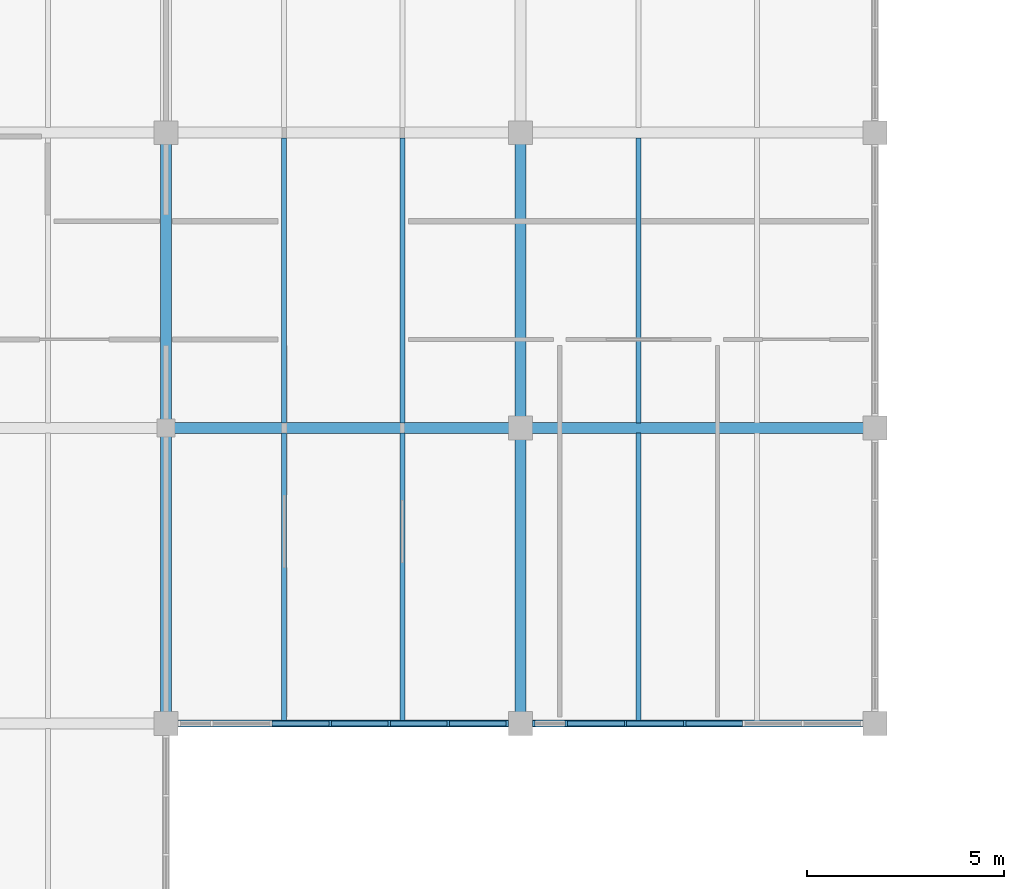
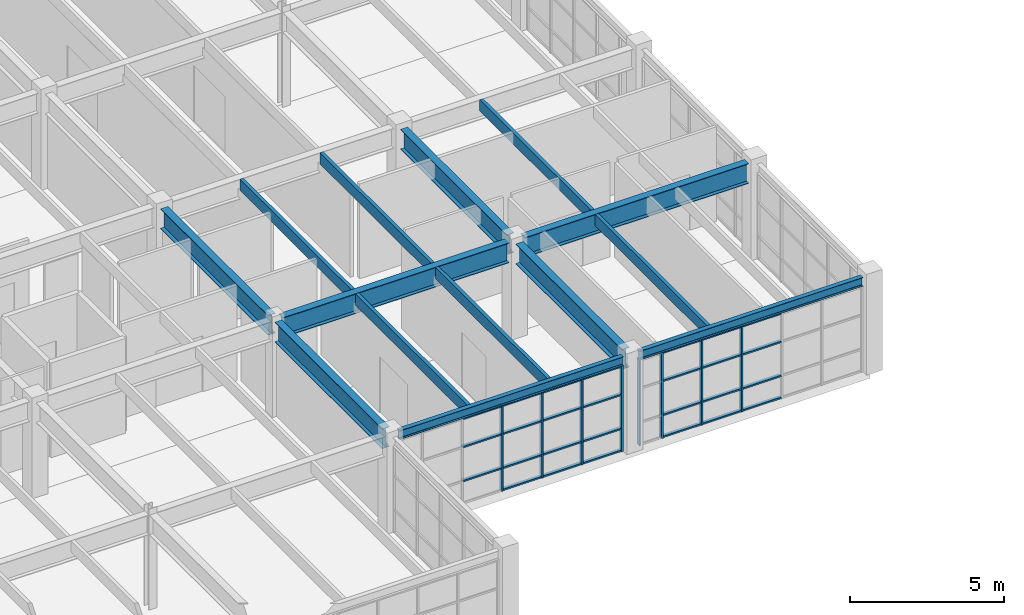
# One storey, part 28 of 76: 35 members, 14 beams, 2 elements without a shape of their own.
"""IFC4 building model written with IfcOpenShell, lengths in metres."""

from ifc_helpers import new_model, si_unit, direction, frame, origin, origin_2d, place, context, subcontext, project, spatial, rectangle, i_section, extrude, material, layer, layer_set, material_profile, profile_set, type_object, element, aggregate, save


model = new_model("IFC4")

# Units and contexts
model_context = context("Model", 3, precision=1e-05, world=origin(), true_north=direction((0.0, 1.0)))
body_context = subcontext(model_context, "Body", "Model", "MODEL_VIEW")
ifc_project = project(units=[si_unit("LENGTHUNIT", "METRE"), si_unit("AREAUNIT", "SQUARE_METRE"), si_unit("VOLUMEUNIT", "CUBIC_METRE"), si_unit("PLANEANGLEUNIT", "RADIAN"), si_unit("MASSUNIT", "GRAM", prefix="KILO")], contexts=[model_context])

# Site, building, storey
site_placement = place(None, origin())
site = spatial("IfcSite", under=ifc_project, at=site_placement, CompositionType="ELEMENT")
building_placement = place(site_placement, origin())
building = spatial("IfcBuilding", under=site, at=building_placement, Name="Marnridge Secondary College", CompositionType="ELEMENT")
storey_placement = place(building_placement, frame((0.0, 0.0, 4.5)))
storey = spatial("IfcBuildingStorey", under=building, at=storey_placement, Name="L01", CompositionType="ELEMENT", Elevation=4.5)

# Beams
ifc_material_1 = material(Name="Engineered timber LVL E13.2", Category="wood")
ifc_material_profile_1 = material_profile(ifc_material_1, rectangle(XDim=0.1259765625, YDim=0.449951171875, at=origin_2d()), Name="LVL 126x450")
ifc_profile_set_1 = profile_set([ifc_material_profile_1], Name="Engineered timber LVL E13.2")
beam_type_1 = type_object("IfcBeamType", Name="BM-LVL450-INT", PredefinedType="JOIST", material=ifc_profile_set_1)
for number, where, z_axis, x_axis, name in (
    (1, (21.0, 82.57958984375, 3.534912109375), (0.0, 1.0, 0.0), (-1.0, 0.0, 0.0), "Beam BJ-L01-0633"),
    (2, (24.0, 82.57958984375, 3.534912109375), (0.0, 1.0, 0.0), (-1.0, 0.0, 0.0), "Beam BJ-L01-0634"),
):
    element("IfcBeam", number, at=place(storey_placement, frame(where, z_axis=z_axis, x_axis=x_axis)), inside=storey, type_object=beam_type_1, Name=name, PredefinedType="JOIST", context=body_context, shape_type="SweptSolid", body=[
        extrude(rectangle(XDim=0.1259765625, YDim=0.449951171875, at=origin_2d()), origin(), (0.0, 0.0, 1.0), 7.288818359375),
    ])
for number, where, z_axis, x_axis, name in (
    (3, (21.0, 90.131591796875, 3.534912109375), (0.0, 1.0, 0.0), (-1.0, 0.0, 0.0), "Beam BJ-L01-0635"),
    (4, (24.0, 90.131591796875, 3.534912109375), (0.0, 1.0, 0.0), (-1.0, 0.0, 0.0), "Beam BJ-L01-0636"),
):
    element("IfcBeam", number, at=place(storey_placement, frame(where, z_axis=z_axis, x_axis=x_axis)), inside=storey, type_object=beam_type_1, Name=name, PredefinedType="JOIST", context=body_context, shape_type="SweptSolid", body=[
        extrude(rectangle(XDim=0.1259765625, YDim=0.449951171875, at=origin_2d()), origin(), (0.0, 0.0, 1.0), 7.23681640625),
    ])
beam_1_placement = place(storey_placement, frame((30.0, 82.57958984375, 3.534912109375), z_axis=(0.0, 1.0, 0.0), x_axis=(-1.0, 0.0, 0.0)))
element("IfcBeam", 5, at=beam_1_placement, inside=storey, type_object=beam_type_1, Name="Beam BJ-L01-0643", PredefinedType="JOIST", context=body_context, shape_type="SweptSolid", body=[
    extrude(rectangle(XDim=0.1259765625, YDim=0.449951171875, at=origin_2d()), origin(), (0.0, 0.0, 1.0), 7.288818359375),
])
beam_2_placement = place(storey_placement, frame((30.0, 90.131591796875, 3.534912109375), z_axis=(0.0, 1.0, 0.0), x_axis=(-1.0, 0.0, 0.0)))
element("IfcBeam", 6, at=beam_2_placement, inside=storey, type_object=beam_type_1, Name="Beam BJ-L01-0645", PredefinedType="JOIST", context=body_context, shape_type="SweptSolid", body=[
    extrude(rectangle(XDim=0.1259765625, YDim=0.449951171875, at=origin_2d()), origin(), (0.0, 0.0, 1.0), 7.23681640625),
])
ifc_material_2 = material(Name="Structural steel Grade 350 (AS/NZS 3679.1/.2, fy = 340-360 MPa)", Category="steel")
ifc_material_profile_2 = material_profile(ifc_material_2, i_section(OverallWidth=0.1708984375, OverallDepth=0.35205078125, WebThickness=0.0068359375, FlangeThickness=0.009765625, FilletRadius=0.011474609375, at=origin_2d()), Name="360UB44.7")
ifc_profile_set_2 = profile_set([ifc_material_profile_2], Name="Structural steel Grade 350 (AS/NZS 3679.1/.2, fy = 340-360 MPa)")
beam_type_2 = type_object("IfcBeamType", Name="BM-UB360-EXT", PredefinedType="SPANDREL", material=ifc_profile_set_2)
for number, where, z_axis, x_axis, name in (
    (7, (18.2939453125, 82.5, 3.583984375), (1.0, 0.0, 0.0), (0.0, 1.0, 0.0), "Beam BS-L01-0589"),
    (8, (27.2939453125, 82.5, 3.583984375), (1.0, 0.0, 0.0), (0.0, 1.0, 0.0), "Beam BS-L01-0600"),
):
    element("IfcBeam", number, at=place(storey_placement, frame(where, z_axis=z_axis, x_axis=x_axis)), inside=storey, type_object=beam_type_2, Name=name, PredefinedType="SPANDREL", context=body_context, shape_type="SweptSolid", body=[
        extrude(i_section(OverallWidth=0.1708984375, OverallDepth=0.35205078125, WebThickness=0.0068359375, FlangeThickness=0.009765625, FilletRadius=0.011474609375, at=origin_2d()), origin(), (0.0, 0.0, 1.0), 8.412109375),
    ])
ifc_material_3 = material(Name="Structural steel Grade 350 (AS/NZS 3679.1/.2, fy = 340-360 MPa)", Category="steel")
ifc_material_profile_3 = material_profile(ifc_material_3, i_section(OverallWidth=0.27490234375, OverallDepth=0.7919921875, WebThickness=0.010009765625, FlangeThickness=0.02001953125, at=origin_2d()), Name="800WB146")
ifc_profile_set_3 = profile_set([ifc_material_profile_3], Name="Structural steel Grade 350 (AS/NZS 3679.1/.2, fy = 340-360 MPa)")
beam_type_3 = type_object("IfcBeamType", Name="BM-WB800-INT", PredefinedType="BEAM", material=ifc_profile_set_3)
for number, where, z_axis, x_axis, name in (
    (9, (18.0, 82.7939453125, 3.364013671875), (0.0, 1.0, 0.0), (-1.0, 0.0, 0.0), "Beam B-L01-0580"),
    (10, (18.0, 90.218994140625, 3.364013671875), (0.0, 1.0, 0.0), (-1.0, 0.0, 0.0), "Beam B-L01-0582"),
):
    element("IfcBeam", number, at=place(storey_placement, frame(where, z_axis=z_axis, x_axis=x_axis)), inside=storey, type_object=beam_type_3, Name=name, PredefinedType="BEAM", context=body_context, shape_type="SweptSolid", body=[
        extrude(i_section(OverallWidth=0.27490234375, OverallDepth=0.7919921875, WebThickness=0.010009765625, FlangeThickness=0.02001953125, at=origin_2d()), origin(), (0.0, 0.0, 1.0), 6.987060546875),
    ])
beam_3_placement = place(storey_placement, frame((18.218994140625, 90.0, 3.364013671875), z_axis=(1.0, 0.0, 0.0), x_axis=(0.0, 1.0, 0.0)))
element("IfcBeam", 11, at=beam_3_placement, inside=storey, type_object=beam_type_3, Name="Beam B-L01-0590", PredefinedType="BEAM", context=body_context, shape_type="SweptSolid", body=[
    extrude(i_section(OverallWidth=0.27490234375, OverallDepth=0.7919921875, WebThickness=0.010009765625, FlangeThickness=0.02001953125, at=origin_2d()), origin(), (0.0, 0.0, 1.0), 8.487060546875),
])
for number, where, z_axis, x_axis, name in (
    (12, (27.0, 82.7939453125, 3.364013671875), (0.0, 1.0, 0.0), (-1.0, 0.0, 0.0), "Beam B-L01-0591"),
    (13, (27.0, 90.2939453125, 3.364013671875), (0.0, 1.0, 0.0), (-1.0, 0.0, 0.0), "Beam B-L01-0593"),
):
    element("IfcBeam", number, at=place(storey_placement, frame(where, z_axis=z_axis, x_axis=x_axis)), inside=storey, type_object=beam_type_3, Name=name, PredefinedType="BEAM", context=body_context, shape_type="SweptSolid", body=[
        extrude(i_section(OverallWidth=0.27490234375, OverallDepth=0.7919921875, WebThickness=0.010009765625, FlangeThickness=0.02001953125, at=origin_2d()), origin(), (0.0, 0.0, 1.0), 6.912109375),
    ])
beam_4_placement = place(storey_placement, frame((27.2939453125, 90.0, 3.364013671875), z_axis=(1.0, 0.0, 0.0), x_axis=(0.0, 1.0, 0.0)))
element("IfcBeam", 14, at=beam_4_placement, inside=storey, type_object=beam_type_3, Name="Beam B-L01-0601", PredefinedType="BEAM", context=body_context, shape_type="SweptSolid", body=[
    extrude(i_section(OverallWidth=0.27490234375, OverallDepth=0.7919921875, WebThickness=0.010009765625, FlangeThickness=0.02001953125, at=origin_2d()), origin(), (0.0, 0.0, 1.0), 8.412109375),
])

# Curtain wall, members
ifc_material_4 = material(Name="Thermally broken aluminium and low-E glazing", Category="aluminium")
ifc_layer = layer(ifc_material_4, 0.159912109375)
ifc_layer_set = layer_set([ifc_layer], Name="CW-MOD-1500")
curtain_wall_type = type_object("IfcCurtainWallType", Name="CW-MOD-1500", PredefinedType="NOTDEFINED", material=ifc_layer_set)
curtain_wall_1_placement = place(storey_placement, origin())
curtain_wall_1 = element("IfcCurtainWall", 15, at=curtain_wall_1_placement, inside=storey, type_object=curtain_wall_type, Name="Unitised curtain wall CW-L01-051", PredefinedType="NOTDEFINED")
ifc_material_5 = material(Name="Anodised aluminium 6063-T6", Category="aluminium")
ifc_material_profile_4 = material_profile(ifc_material_5, rectangle(XDim=0.06005859375, YDim=0.159912109375, at=origin_2d()), Name="ALU 60x160")
ifc_profile_set_4 = profile_set([ifc_material_profile_4], Name="Anodised aluminium 6063-T6")
member_type_1 = type_object("IfcMemberType", Name="CWM-ALU160", PredefinedType="MULLION", material=ifc_profile_set_4)
member_1_placement = place(storey_placement, frame((31.166015625, 82.5, 0.0), z_axis=(0.0, 0.0, 1.0), x_axis=(-1.0, 0.0, 0.0)))
member_1 = element("IfcMember", 16, at=member_1_placement, type_object=member_type_1, Name="CW-L01-051 mullion 4", PredefinedType="MULLION", context=body_context, shape_type="SweptSolid", body=[
    extrude(rectangle(XDim=0.06005859375, YDim=0.159912109375, at=origin_2d()), origin(), (0.0, 0.0, 1.0), 3.39990234375),
])
member_2_placement = place(storey_placement, frame((29.666015625, 82.5, 0.0), z_axis=(0.0, 0.0, 1.0), x_axis=(-1.0, 0.0, 0.0)))
member_2 = element("IfcMember", 17, at=member_2_placement, type_object=member_type_1, Name="CW-L01-051 mullion 5", PredefinedType="MULLION", context=body_context, shape_type="SweptSolid", body=[
    extrude(rectangle(XDim=0.06005859375, YDim=0.159912109375, at=origin_2d()), origin(), (0.0, 0.0, 1.0), 3.39990234375),
])
member_3_placement = place(storey_placement, frame((28.166015625, 82.5, 0.0), z_axis=(0.0, 0.0, 1.0), x_axis=(-1.0, 0.0, 0.0)))
member_3 = element("IfcMember", 18, at=member_3_placement, type_object=member_type_1, Name="CW-L01-051 mullion 6", PredefinedType="MULLION", context=body_context, shape_type="SweptSolid", body=[
    extrude(rectangle(XDim=0.06005859375, YDim=0.159912109375, at=origin_2d()), origin(), (0.0, 0.0, 1.0), 3.39990234375),
])
member_4_placement = place(storey_placement, frame((27.333984375, 82.5, 0.0), z_axis=(0.0, 0.0, 1.0), x_axis=(-1.0, 0.0, 0.0)))
member_4 = element("IfcMember", 19, at=member_4_placement, type_object=member_type_1, Name="CW-L01-051 mullion 7", PredefinedType="MULLION", context=body_context, shape_type="SweptSolid", body=[
    extrude(rectangle(XDim=0.06005859375, YDim=0.159912109375, at=origin_2d()), origin(), (0.0, 0.0, 1.0), 3.39990234375),
])

curtain_wall_2_placement = place(storey_placement, origin())
curtain_wall_2 = element("IfcCurtainWall", 20, at=curtain_wall_2_placement, inside=storey, type_object=curtain_wall_type, Name="Unitised curtain wall CW-L01-052", PredefinedType="NOTDEFINED")
member_5_placement = place(storey_placement, frame((26.666015625, 82.5, 0.0), z_axis=(0.0, 0.0, 1.0), x_axis=(-1.0, 0.0, 0.0)))
member_5 = element("IfcMember", 21, at=member_5_placement, type_object=member_type_1, Name="CW-L01-052 mullion 1", PredefinedType="MULLION", context=body_context, shape_type="SweptSolid", body=[
    extrude(rectangle(XDim=0.06005859375, YDim=0.159912109375, at=origin_2d()), origin(), (0.0, 0.0, 1.0), 3.39990234375),
])
member_6_placement = place(storey_placement, frame((25.166015625, 82.5, 0.0), z_axis=(0.0, 0.0, 1.0), x_axis=(-1.0, 0.0, 0.0)))
member_6 = element("IfcMember", 22, at=member_6_placement, type_object=member_type_1, Name="CW-L01-052 mullion 2", PredefinedType="MULLION", context=body_context, shape_type="SweptSolid", body=[
    extrude(rectangle(XDim=0.06005859375, YDim=0.159912109375, at=origin_2d()), origin(), (0.0, 0.0, 1.0), 3.39990234375),
])
member_7_placement = place(storey_placement, frame((23.666015625, 82.5, 0.0), z_axis=(0.0, 0.0, 1.0), x_axis=(-1.0, 0.0, 0.0)))
member_7 = element("IfcMember", 23, at=member_7_placement, type_object=member_type_1, Name="CW-L01-052 mullion 3", PredefinedType="MULLION", context=body_context, shape_type="SweptSolid", body=[
    extrude(rectangle(XDim=0.06005859375, YDim=0.159912109375, at=origin_2d()), origin(), (0.0, 0.0, 1.0), 3.39990234375),
])
member_8_placement = place(storey_placement, frame((22.166015625, 82.5, 0.0), z_axis=(0.0, 0.0, 1.0), x_axis=(-1.0, 0.0, 0.0)))
member_8 = element("IfcMember", 24, at=member_8_placement, type_object=member_type_1, Name="CW-L01-052 mullion 4", PredefinedType="MULLION", context=body_context, shape_type="SweptSolid", body=[
    extrude(rectangle(XDim=0.06005859375, YDim=0.159912109375, at=origin_2d()), origin(), (0.0, 0.0, 1.0), 3.39990234375),
])

# Member
ifc_material_6 = material(Name="Anodised aluminium 6063-T6", Category="aluminium")
ifc_material_profile_5 = material_profile(ifc_material_6, rectangle(XDim=0.06005859375, YDim=0.1201171875, at=origin_2d()), Name="ALU 60x120")
ifc_profile_set_5 = profile_set([ifc_material_profile_5], Name="Anodised aluminium 6063-T6")
member_type_2 = type_object("IfcMemberType", Name="CWT-ALU120", PredefinedType="USERDEFINED", material=ifc_profile_set_5)
member_9_placement = place(storey_placement, frame((32.635986328125, 82.5, 0.030029296875), z_axis=(-1.0, 0.0, 0.0), x_axis=(0.0, 0.0, 1.0)))
member_9 = element("IfcMember", 25, at=member_9_placement, type_object=member_type_2, Name="CW-L01-051 transom 3.1", ObjectType="TRANSOM", PredefinedType="USERDEFINED", context=body_context, shape_type="SweptSolid", body=[
    extrude(rectangle(XDim=0.06005859375, YDim=0.1201171875, at=origin_2d()), origin(), (0.0, 0.0, 1.0), 1.43994140625),
])

member_10_placement = place(storey_placement, frame((32.635986328125, 82.5, 0.89990234375), z_axis=(-1.0, 0.0, 0.0), x_axis=(0.0, 0.0, 1.0)))
member_10 = element("IfcMember", 26, at=member_10_placement, type_object=member_type_2, Name="CW-L01-051 transom 3.2", ObjectType="TRANSOM", PredefinedType="USERDEFINED", context=body_context, shape_type="SweptSolid", body=[
    extrude(rectangle(XDim=0.06005859375, YDim=0.1201171875, at=origin_2d()), origin(), (0.0, 0.0, 1.0), 1.43994140625),
])

member_11_placement = place(storey_placement, frame((32.635986328125, 82.5, 2.25), z_axis=(-1.0, 0.0, 0.0), x_axis=(0.0, 0.0, 1.0)))
member_11 = element("IfcMember", 27, at=member_11_placement, type_object=member_type_2, Name="CW-L01-051 transom 3.3", ObjectType="TRANSOM", PredefinedType="USERDEFINED", context=body_context, shape_type="SweptSolid", body=[
    extrude(rectangle(XDim=0.06005859375, YDim=0.1201171875, at=origin_2d()), origin(), (0.0, 0.0, 1.0), 1.43994140625),
])

member_12_placement = place(storey_placement, frame((32.635986328125, 82.5, 3.3701171875), z_axis=(-1.0, 0.0, 0.0), x_axis=(0.0, 0.0, 1.0)))
member_12 = element("IfcMember", 28, at=member_12_placement, type_object=member_type_2, Name="CW-L01-051 transom 3.4", ObjectType="TRANSOM", PredefinedType="USERDEFINED", context=body_context, shape_type="SweptSolid", body=[
    extrude(rectangle(XDim=0.06005859375, YDim=0.1201171875, at=origin_2d()), origin(), (0.0, 0.0, 1.0), 1.43994140625),
])

member_13_placement = place(storey_placement, frame((31.135986328125, 82.5, 0.030029296875), z_axis=(-1.0, 0.0, 0.0), x_axis=(0.0, 0.0, 1.0)))
member_13 = element("IfcMember", 29, at=member_13_placement, type_object=member_type_2, Name="CW-L01-051 transom 4.1", ObjectType="TRANSOM", PredefinedType="USERDEFINED", context=body_context, shape_type="SweptSolid", body=[
    extrude(rectangle(XDim=0.06005859375, YDim=0.1201171875, at=origin_2d()), origin(), (0.0, 0.0, 1.0), 1.43994140625),
])

member_14_placement = place(storey_placement, frame((31.135986328125, 82.5, 0.89990234375), z_axis=(-1.0, 0.0, 0.0), x_axis=(0.0, 0.0, 1.0)))
member_14 = element("IfcMember", 30, at=member_14_placement, type_object=member_type_2, Name="CW-L01-051 transom 4.2", ObjectType="TRANSOM", PredefinedType="USERDEFINED", context=body_context, shape_type="SweptSolid", body=[
    extrude(rectangle(XDim=0.06005859375, YDim=0.1201171875, at=origin_2d()), origin(), (0.0, 0.0, 1.0), 1.43994140625),
])

member_15_placement = place(storey_placement, frame((31.135986328125, 82.5, 2.25), z_axis=(-1.0, 0.0, 0.0), x_axis=(0.0, 0.0, 1.0)))
member_15 = element("IfcMember", 31, at=member_15_placement, type_object=member_type_2, Name="CW-L01-051 transom 4.3", ObjectType="TRANSOM", PredefinedType="USERDEFINED", context=body_context, shape_type="SweptSolid", body=[
    extrude(rectangle(XDim=0.06005859375, YDim=0.1201171875, at=origin_2d()), origin(), (0.0, 0.0, 1.0), 1.43994140625),
])

member_16_placement = place(storey_placement, frame((31.135986328125, 82.5, 3.3701171875), z_axis=(-1.0, 0.0, 0.0), x_axis=(0.0, 0.0, 1.0)))
member_16 = element("IfcMember", 32, at=member_16_placement, type_object=member_type_2, Name="CW-L01-051 transom 4.4", ObjectType="TRANSOM", PredefinedType="USERDEFINED", context=body_context, shape_type="SweptSolid", body=[
    extrude(rectangle(XDim=0.06005859375, YDim=0.1201171875, at=origin_2d()), origin(), (0.0, 0.0, 1.0), 1.43994140625),
])

member_17_placement = place(storey_placement, frame((29.635986328125, 82.5, 0.030029296875), z_axis=(-1.0, 0.0, 0.0), x_axis=(0.0, 0.0, 1.0)))
member_17 = element("IfcMember", 33, at=member_17_placement, type_object=member_type_2, Name="CW-L01-051 transom 5.1", ObjectType="TRANSOM", PredefinedType="USERDEFINED", context=body_context, shape_type="SweptSolid", body=[
    extrude(rectangle(XDim=0.06005859375, YDim=0.1201171875, at=origin_2d()), origin(), (0.0, 0.0, 1.0), 1.43994140625),
])

member_18_placement = place(storey_placement, frame((29.635986328125, 82.5, 0.89990234375), z_axis=(-1.0, 0.0, 0.0), x_axis=(0.0, 0.0, 1.0)))
member_18 = element("IfcMember", 34, at=member_18_placement, type_object=member_type_2, Name="CW-L01-051 transom 5.2", ObjectType="TRANSOM", PredefinedType="USERDEFINED", context=body_context, shape_type="SweptSolid", body=[
    extrude(rectangle(XDim=0.06005859375, YDim=0.1201171875, at=origin_2d()), origin(), (0.0, 0.0, 1.0), 1.43994140625),
])

member_19_placement = place(storey_placement, frame((29.635986328125, 82.5, 2.25), z_axis=(-1.0, 0.0, 0.0), x_axis=(0.0, 0.0, 1.0)))
member_19 = element("IfcMember", 35, at=member_19_placement, type_object=member_type_2, Name="CW-L01-051 transom 5.3", ObjectType="TRANSOM", PredefinedType="USERDEFINED", context=body_context, shape_type="SweptSolid", body=[
    extrude(rectangle(XDim=0.06005859375, YDim=0.1201171875, at=origin_2d()), origin(), (0.0, 0.0, 1.0), 1.43994140625),
])

member_20_placement = place(storey_placement, frame((29.635986328125, 82.5, 3.3701171875), z_axis=(-1.0, 0.0, 0.0), x_axis=(0.0, 0.0, 1.0)))
member_20 = element("IfcMember", 36, at=member_20_placement, type_object=member_type_2, Name="CW-L01-051 transom 5.4", ObjectType="TRANSOM", PredefinedType="USERDEFINED", context=body_context, shape_type="SweptSolid", body=[
    extrude(rectangle(XDim=0.06005859375, YDim=0.1201171875, at=origin_2d()), origin(), (0.0, 0.0, 1.0), 1.43994140625),
])

aggregate(curtain_wall_1, [member_1, member_2, member_3, member_4, member_9, member_10, member_11, member_12, member_13, member_14, member_15, member_16, member_17, member_18, member_19, member_20])

member_21_placement = place(storey_placement, frame((26.635986328125, 82.5, 0.030029296875), z_axis=(-1.0, 0.0, 0.0), x_axis=(0.0, 0.0, 1.0)))
member_21 = element("IfcMember", 37, at=member_21_placement, type_object=member_type_2, Name="CW-L01-052 transom 1.1", ObjectType="TRANSOM", PredefinedType="USERDEFINED", context=body_context, shape_type="SweptSolid", body=[
    extrude(rectangle(XDim=0.06005859375, YDim=0.1201171875, at=origin_2d()), origin(), (0.0, 0.0, 1.0), 1.43994140625),
])

member_22_placement = place(storey_placement, frame((26.635986328125, 82.5, 0.89990234375), z_axis=(-1.0, 0.0, 0.0), x_axis=(0.0, 0.0, 1.0)))
member_22 = element("IfcMember", 38, at=member_22_placement, type_object=member_type_2, Name="CW-L01-052 transom 1.2", ObjectType="TRANSOM", PredefinedType="USERDEFINED", context=body_context, shape_type="SweptSolid", body=[
    extrude(rectangle(XDim=0.06005859375, YDim=0.1201171875, at=origin_2d()), origin(), (0.0, 0.0, 1.0), 1.43994140625),
])

member_23_placement = place(storey_placement, frame((26.635986328125, 82.5, 2.25), z_axis=(-1.0, 0.0, 0.0), x_axis=(0.0, 0.0, 1.0)))
member_23 = element("IfcMember", 39, at=member_23_placement, type_object=member_type_2, Name="CW-L01-052 transom 1.3", ObjectType="TRANSOM", PredefinedType="USERDEFINED", context=body_context, shape_type="SweptSolid", body=[
    extrude(rectangle(XDim=0.06005859375, YDim=0.1201171875, at=origin_2d()), origin(), (0.0, 0.0, 1.0), 1.43994140625),
])

member_24_placement = place(storey_placement, frame((26.635986328125, 82.5, 3.3701171875), z_axis=(-1.0, 0.0, 0.0), x_axis=(0.0, 0.0, 1.0)))
member_24 = element("IfcMember", 40, at=member_24_placement, type_object=member_type_2, Name="CW-L01-052 transom 1.4", ObjectType="TRANSOM", PredefinedType="USERDEFINED", context=body_context, shape_type="SweptSolid", body=[
    extrude(rectangle(XDim=0.06005859375, YDim=0.1201171875, at=origin_2d()), origin(), (0.0, 0.0, 1.0), 1.43994140625),
])

member_25_placement = place(storey_placement, frame((25.135986328125, 82.5, 0.030029296875), z_axis=(-1.0, 0.0, 0.0), x_axis=(0.0, 0.0, 1.0)))
member_25 = element("IfcMember", 41, at=member_25_placement, type_object=member_type_2, Name="CW-L01-052 transom 2.1", ObjectType="TRANSOM", PredefinedType="USERDEFINED", context=body_context, shape_type="SweptSolid", body=[
    extrude(rectangle(XDim=0.06005859375, YDim=0.1201171875, at=origin_2d()), origin(), (0.0, 0.0, 1.0), 1.43994140625),
])

member_26_placement = place(storey_placement, frame((25.135986328125, 82.5, 0.89990234375), z_axis=(-1.0, 0.0, 0.0), x_axis=(0.0, 0.0, 1.0)))
member_26 = element("IfcMember", 42, at=member_26_placement, type_object=member_type_2, Name="CW-L01-052 transom 2.2", ObjectType="TRANSOM", PredefinedType="USERDEFINED", context=body_context, shape_type="SweptSolid", body=[
    extrude(rectangle(XDim=0.06005859375, YDim=0.1201171875, at=origin_2d()), origin(), (0.0, 0.0, 1.0), 1.43994140625),
])

member_27_placement = place(storey_placement, frame((25.135986328125, 82.5, 2.25), z_axis=(-1.0, 0.0, 0.0), x_axis=(0.0, 0.0, 1.0)))
member_27 = element("IfcMember", 43, at=member_27_placement, type_object=member_type_2, Name="CW-L01-052 transom 2.3", ObjectType="TRANSOM", PredefinedType="USERDEFINED", context=body_context, shape_type="SweptSolid", body=[
    extrude(rectangle(XDim=0.06005859375, YDim=0.1201171875, at=origin_2d()), origin(), (0.0, 0.0, 1.0), 1.43994140625),
])

member_28_placement = place(storey_placement, frame((25.135986328125, 82.5, 3.3701171875), z_axis=(-1.0, 0.0, 0.0), x_axis=(0.0, 0.0, 1.0)))
member_28 = element("IfcMember", 44, at=member_28_placement, type_object=member_type_2, Name="CW-L01-052 transom 2.4", ObjectType="TRANSOM", PredefinedType="USERDEFINED", context=body_context, shape_type="SweptSolid", body=[
    extrude(rectangle(XDim=0.06005859375, YDim=0.1201171875, at=origin_2d()), origin(), (0.0, 0.0, 1.0), 1.43994140625),
])

member_29_placement = place(storey_placement, frame((23.635986328125, 82.5, 0.030029296875), z_axis=(-1.0, 0.0, 0.0), x_axis=(0.0, 0.0, 1.0)))
member_29 = element("IfcMember", 45, at=member_29_placement, type_object=member_type_2, Name="CW-L01-052 transom 3.1", ObjectType="TRANSOM", PredefinedType="USERDEFINED", context=body_context, shape_type="SweptSolid", body=[
    extrude(rectangle(XDim=0.06005859375, YDim=0.1201171875, at=origin_2d()), origin(), (0.0, 0.0, 1.0), 1.43994140625),
])

member_30_placement = place(storey_placement, frame((23.635986328125, 82.5, 0.89990234375), z_axis=(-1.0, 0.0, 0.0), x_axis=(0.0, 0.0, 1.0)))
member_30 = element("IfcMember", 46, at=member_30_placement, type_object=member_type_2, Name="CW-L01-052 transom 3.2", ObjectType="TRANSOM", PredefinedType="USERDEFINED", context=body_context, shape_type="SweptSolid", body=[
    extrude(rectangle(XDim=0.06005859375, YDim=0.1201171875, at=origin_2d()), origin(), (0.0, 0.0, 1.0), 1.43994140625),
])

member_31_placement = place(storey_placement, frame((23.635986328125, 82.5, 2.25), z_axis=(-1.0, 0.0, 0.0), x_axis=(0.0, 0.0, 1.0)))
member_31 = element("IfcMember", 47, at=member_31_placement, type_object=member_type_2, Name="CW-L01-052 transom 3.3", ObjectType="TRANSOM", PredefinedType="USERDEFINED", context=body_context, shape_type="SweptSolid", body=[
    extrude(rectangle(XDim=0.06005859375, YDim=0.1201171875, at=origin_2d()), origin(), (0.0, 0.0, 1.0), 1.43994140625),
])

member_32_placement = place(storey_placement, frame((23.635986328125, 82.5, 3.3701171875), z_axis=(-1.0, 0.0, 0.0), x_axis=(0.0, 0.0, 1.0)))
member_32 = element("IfcMember", 48, at=member_32_placement, type_object=member_type_2, Name="CW-L01-052 transom 3.4", ObjectType="TRANSOM", PredefinedType="USERDEFINED", context=body_context, shape_type="SweptSolid", body=[
    extrude(rectangle(XDim=0.06005859375, YDim=0.1201171875, at=origin_2d()), origin(), (0.0, 0.0, 1.0), 1.43994140625),
])

member_33_placement = place(storey_placement, frame((22.135986328125, 82.5, 0.89990234375), z_axis=(-1.0, 0.0, 0.0), x_axis=(0.0, 0.0, 1.0)))
member_33 = element("IfcMember", 49, at=member_33_placement, type_object=member_type_2, Name="CW-L01-052 transom 4.2", ObjectType="TRANSOM", PredefinedType="USERDEFINED", context=body_context, shape_type="SweptSolid", body=[
    extrude(rectangle(XDim=0.06005859375, YDim=0.1201171875, at=origin_2d()), origin(), (0.0, 0.0, 1.0), 1.43994140625),
])

member_34_placement = place(storey_placement, frame((22.135986328125, 82.5, 2.25), z_axis=(-1.0, 0.0, 0.0), x_axis=(0.0, 0.0, 1.0)))
member_34 = element("IfcMember", 50, at=member_34_placement, type_object=member_type_2, Name="CW-L01-052 transom 4.3", ObjectType="TRANSOM", PredefinedType="USERDEFINED", context=body_context, shape_type="SweptSolid", body=[
    extrude(rectangle(XDim=0.06005859375, YDim=0.1201171875, at=origin_2d()), origin(), (0.0, 0.0, 1.0), 1.43994140625),
])

member_35_placement = place(storey_placement, frame((22.135986328125, 82.5, 3.3701171875), z_axis=(-1.0, 0.0, 0.0), x_axis=(0.0, 0.0, 1.0)))
member_35 = element("IfcMember", 51, at=member_35_placement, type_object=member_type_2, Name="CW-L01-052 transom 4.4", ObjectType="TRANSOM", PredefinedType="USERDEFINED", context=body_context, shape_type="SweptSolid", body=[
    extrude(rectangle(XDim=0.06005859375, YDim=0.1201171875, at=origin_2d()), origin(), (0.0, 0.0, 1.0), 1.43994140625),
])

aggregate(curtain_wall_2, [member_5, member_6, member_7, member_8, member_21, member_22, member_23, member_24, member_25, member_26, member_27, member_28, member_29, member_30, member_31, member_32, member_33, member_34, member_35])

save(model, "model.ifc")
